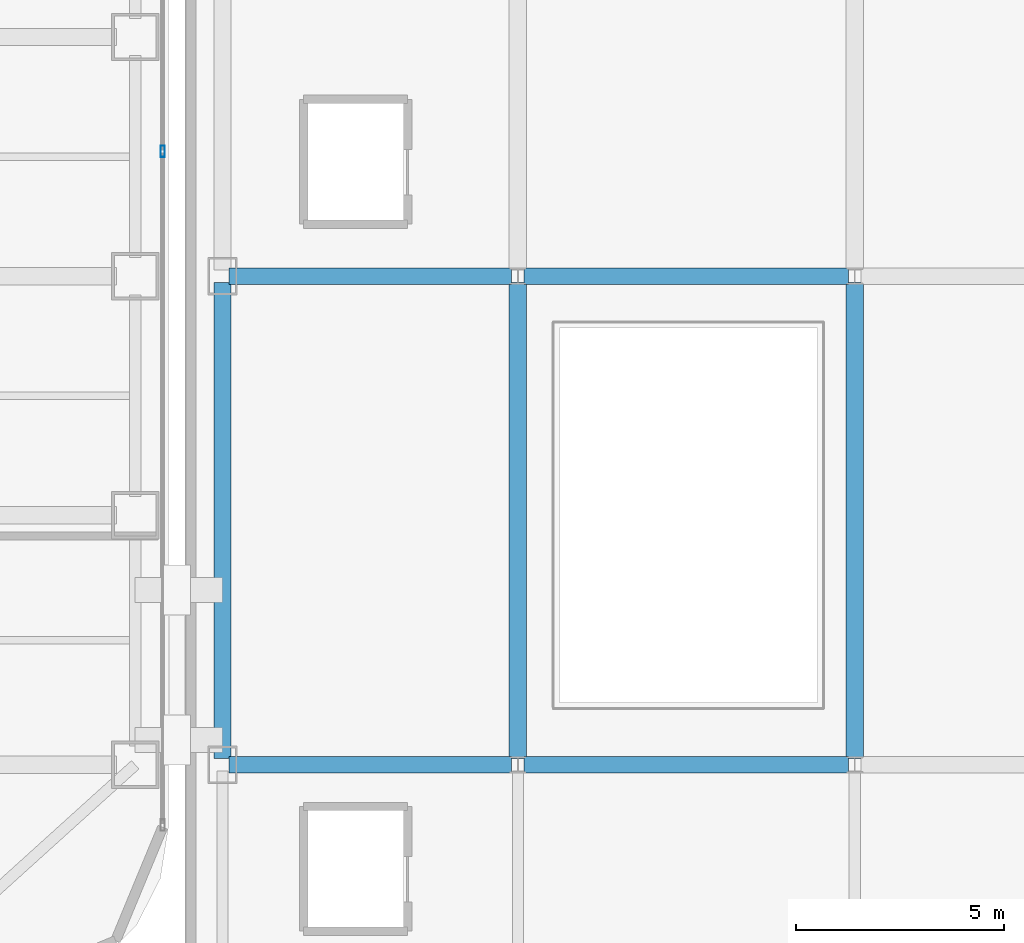
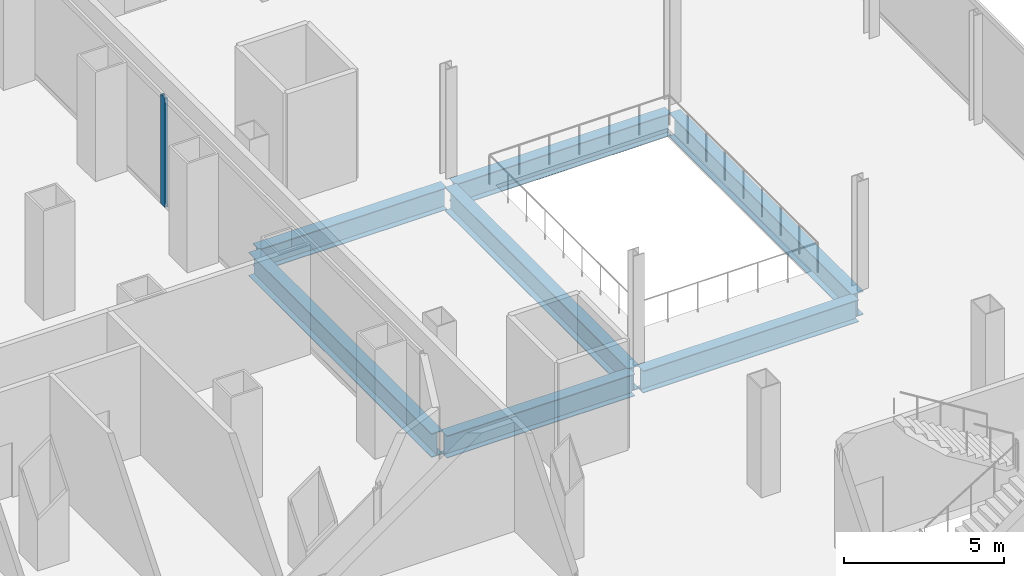
# One storey, part 12 of 26: 7 beams, 1 member, 1 element without a shape of its own.
"""IFC4 building model written with IfcOpenShell, lengths in metres."""

from ifc_helpers import new_model, si_unit, direction, frame, origin, origin_2d, place, context, subcontext, project, spatial, hollow_rectangle, i_section, extrude, source, transform, mapped, material, layer, layer_set, material_profile, profile_set, type_object, element, aggregate, save


model = new_model("IFC4")

# Units and contexts
model_context = context("Model", 3, precision=1e-05, world=origin(), true_north=direction((0.0, 1.0)))
body_context = subcontext(model_context, "Body", "Model", "MODEL_VIEW")
ifc_project = project(units=[si_unit("LENGTHUNIT", "METRE"), si_unit("AREAUNIT", "SQUARE_METRE"), si_unit("VOLUMEUNIT", "CUBIC_METRE"), si_unit("PLANEANGLEUNIT", "RADIAN"), si_unit("MASSUNIT", "GRAM", prefix="KILO")], contexts=[model_context])

# Site, building, storey
site_placement = place(None, origin())
site = spatial("IfcSite", under=ifc_project, at=site_placement, CompositionType="ELEMENT")
building_placement = place(site_placement, origin())
building = spatial("IfcBuilding", under=site, at=building_placement, Name="Kolveth Station Tower", CompositionType="ELEMENT")
storey_placement = place(building_placement, frame((0.0, 0.0, 9.0)))
storey = spatial("IfcBuildingStorey", under=building, at=storey_placement, Name="L02", CompositionType="ELEMENT", Elevation=9.0)

# Beams
ifc_material_1 = material(Name="Steel S355", Category="steel")
ifc_material_profile_1 = material_profile(ifc_material_1, i_section(OverallWidth=0.40087890625, OverallDepth=0.85107421875, WebThickness=0.01611328125, FlangeThickness=0.025390625, at=origin_2d()), Name="W840x226")
ifc_profile_set_1 = profile_set([ifc_material_profile_1], Name="Steel S355")
beam_type_1 = type_object("IfcBeamType", Name="Beam_B2", PredefinedType="BEAM", material=ifc_profile_set_1)
shared_shape_1 = source(origin(), body_context, "Body", "SweptSolid", [
    extrude(i_section(OverallWidth=0.40087890625, OverallDepth=0.85107421875, WebThickness=0.01611328125, FlangeThickness=0.025390625, at=origin_2d()), origin(), (0.0, 0.0, 1.0), 6.800048828125),
])
for number, where, z_axis, x_axis, name in (
    (1, (48.449951171875, 5.5, -0.74560546875), (1.0, 0.0, 0.0), (0.0, 1.0, 0.0), "L02 Station Portal Girder SBM-L02-EW-3-1"),
    (2, (48.449951171875, 17.25, -0.74560546875), (1.0, 0.0, 0.0), (0.0, 1.0, 0.0), "L02 Station Portal Girder SBM-L02-EW-4-1"),
):
    element("IfcBeam", number, at=place(storey_placement, frame(where, z_axis=z_axis, x_axis=x_axis)), inside=storey, type_object=beam_type_1, Name=name, PredefinedType="BEAM", context=body_context, shape_type="MappedRepresentation", body=[
        mapped(shared_shape_1, transform((0.0, 0.0, 0.0), x_axis=(1.0, 0.0, 0.0), y_axis=(0.0, 1.0, 0.0), z_axis=(0.0, 0.0, 1.0), scale=1.0)),
    ])
shared_shape_2 = source(origin(), body_context, "Body", "SweptSolid", [
    extrude(i_section(OverallWidth=0.40087890625, OverallDepth=0.85107421875, WebThickness=0.01611328125, FlangeThickness=0.025390625, at=origin_2d()), origin(), (0.0, 0.0, 1.0), 7.800048828125),
])
for number, where, z_axis, x_axis, name in (
    (3, (55.550048828125, 5.5, -0.74560546875), (1.0, 0.0, 0.0), (0.0, 1.0, 0.0), "L02 Station Portal Girder SBM-L02-EW-3-2"),
    (4, (55.550048828125, 17.25, -0.74560546875), (1.0, 0.0, 0.0), (0.0, 1.0, 0.0), "L02 Station Portal Girder SBM-L02-EW-4-2"),
):
    element("IfcBeam", number, at=place(storey_placement, frame(where, z_axis=z_axis, x_axis=x_axis)), inside=storey, type_object=beam_type_1, Name=name, PredefinedType="BEAM", context=body_context, shape_type="MappedRepresentation", body=[
        mapped(shared_shape_2, transform((0.0, 0.0, 0.0), x_axis=(1.0, 0.0, 0.0), y_axis=(0.0, 1.0, 0.0), z_axis=(0.0, 0.0, 1.0), scale=1.0)),
    ])
ifc_material_profile_2 = material_profile(ifc_material_1, i_section(OverallWidth=0.41796875, OverallDepth=0.912109375, WebThickness=0.019287109375, FlangeThickness=0.031982421875, at=origin_2d()), Name="W920x342")
ifc_profile_set_2 = profile_set([ifc_material_profile_2], Name="Steel S355")
beam_type_2 = type_object("IfcBeamType", Name="Beam_B1", PredefinedType="BEAM", material=ifc_profile_set_2)
shared_shape_3 = source(origin(), body_context, "Body", "SweptSolid", [
    extrude(i_section(OverallWidth=0.41796875, OverallDepth=0.912109375, WebThickness=0.019287109375, FlangeThickness=0.031982421875, at=origin_2d()), origin(), (0.0, 0.0, 1.0), 11.4501953125),
])
for number, where, z_axis, x_axis, name in (
    (5, (48.300048828125, 5.64990234375, -0.77587890625), (0.0, 1.0, 0.0), (-1.0, 0.0, 0.0), "L02 Station Spine Girder SBM-L02-NS-1-3"),
    (6, (55.39990234375, 5.64990234375, -0.77587890625), (0.0, 1.0, 0.0), (-1.0, 0.0, 0.0), "L02 Station Spine Girder SBM-L02-NS-2-3"),
    (7, (63.5, 5.64990234375, -0.77587890625), (0.0, 1.0, 0.0), (-1.0, 0.0, 0.0), "L02 Station Spine Girder SBM-L02-NS-3-3"),
):
    element("IfcBeam", number, at=place(storey_placement, frame(where, z_axis=z_axis, x_axis=x_axis)), inside=storey, type_object=beam_type_2, Name=name, PredefinedType="BEAM", context=body_context, shape_type="MappedRepresentation", body=[
        mapped(shared_shape_3, transform((0.0, 0.0, 0.0), x_axis=(1.0, 0.0, 0.0), y_axis=(0.0, 1.0, 0.0), z_axis=(0.0, 0.0, 1.0), scale=1.0)),
    ])

# Curtain wall, member
ifc_material_2 = material(Name="Black anodized aluminium 6063-T6 and clear station glass", Category="aluminium")
ifc_layer = layer(ifc_material_2, 0.239990234375)
ifc_layer_set = layer_set([ifc_layer], Name="Black anodized aluminium 6063-T6 and clear station glass")
curtain_wall_type = type_object("IfcCurtainWallType", Name="CurtainWall_CW-ST", PredefinedType="NOTDEFINED", material=ifc_layer_set)
curtain_wall_placement = place(storey_placement, origin())
curtain_wall = element("IfcCurtainWall", 8, at=curtain_wall_placement, inside=storey, type_object=curtain_wall_type, Name="L02 Tower Podium East Storefront Curtain Wall", PredefinedType="NOTDEFINED")
ifc_material_3 = material(Name="Black anodized aluminium 6063-T6", Category="aluminium")
ifc_material_profile_3 = material_profile(ifc_material_3, hollow_rectangle(XDim=0.10009765625, YDim=0.280029296875, WallThickness=0.0048828125, at=origin_2d()), Name="ALU-100x280x5")
ifc_profile_set_3 = profile_set([ifc_material_profile_3], Name="Black anodized aluminium 6063-T6")
member_type = type_object("IfcMemberType", Name="Mullion_ML-ST", PredefinedType="MULLION", material=ifc_profile_set_3)
shared_shape_4 = source(origin(), body_context, "Body", "SweptSolid", [
    extrude(hollow_rectangle(XDim=0.10009765625, YDim=0.280029296875, WallThickness=0.0048828125, at=origin_2d()), origin(), (0.0, 0.0, 1.0), 4.179931640625),
])
member_placement = place(storey_placement, frame((46.860107421875, 20.25, 0.0), z_axis=(0.0, 0.0, 1.0), x_axis=(-1.0, 0.0, 0.0)))
member = element("IfcMember", 9, at=member_placement, type_object=member_type, Name="CW-ST mullion 2", PredefinedType="MULLION", context=body_context, shape_type="MappedRepresentation", body=[
    mapped(shared_shape_4, transform((0.0, 0.0, 0.0), x_axis=(1.0, 0.0, 0.0), y_axis=(0.0, 1.0, 0.0), z_axis=(0.0, 0.0, 1.0), scale=1.0)),
])
aggregate(curtain_wall, [member])

save(model, "model.ifc")
